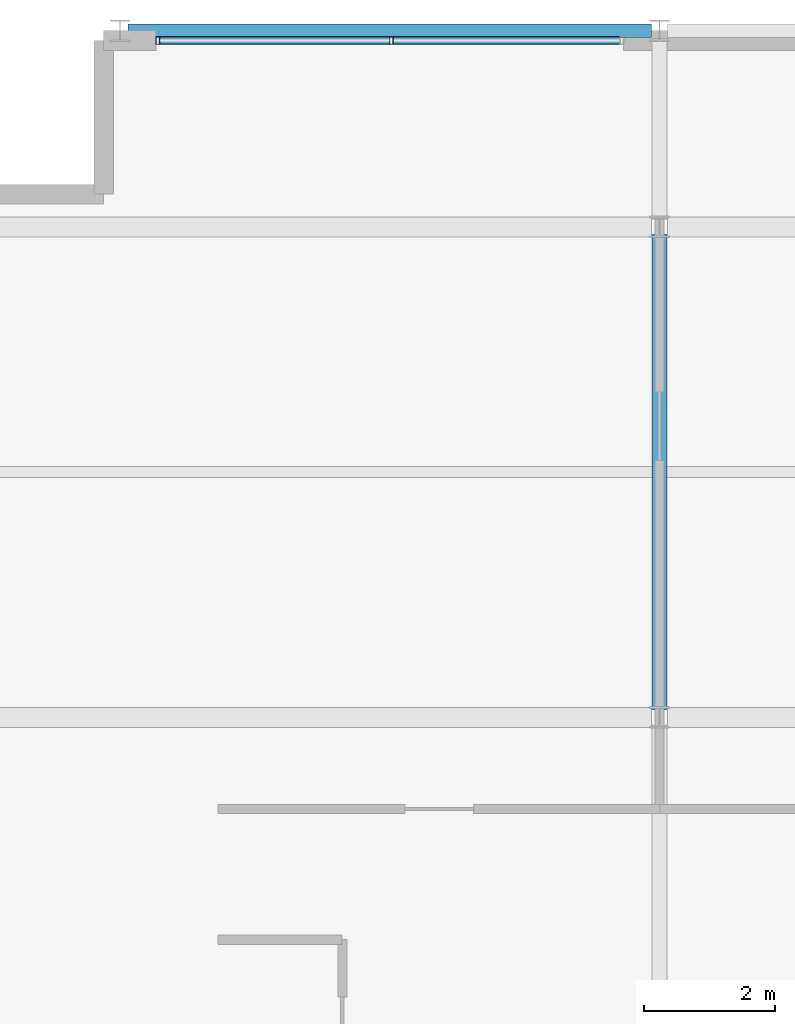
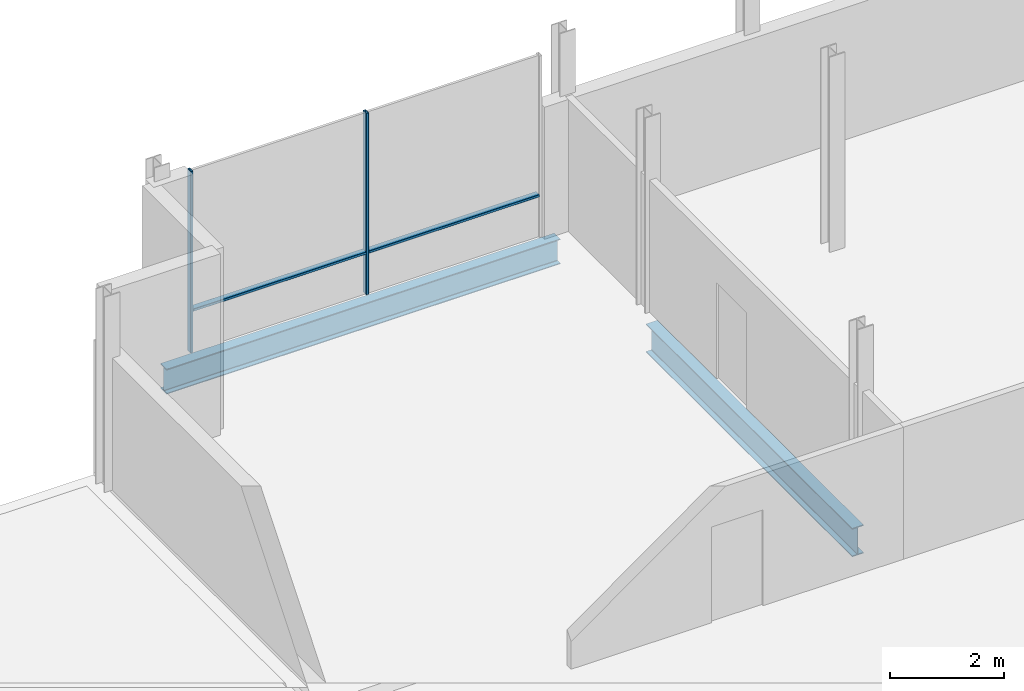
# One storey, part 2 of 11: 4 members, 2 beams, 1 element without a shape of its own.
"""IFC4 building model written with IfcOpenShell, lengths in metres."""

import ifcopenshell
import ifcopenshell.guid

model = None  # the IFC model being written
_history = None  # IfcOwnerHistory: only IFC2X3 demands one
_inside = {}  # id of a spatial element -> (the spatial element, [elements in it])
_under = {}  # id of a project, library or spatial element -> (it, [spatial elements below it])
_declared = {}  # id of a project -> (the project, [libraries it declares])
_typed = {}  # id of a type object -> (the type object, [elements of that type])
_made_of = {}  # id of a material, layer set ... -> (it, [elements and type objects made of it])


def new_model(schema):
    """Start an empty IFC model of exactly this schema.

    Asked for "IFC4X3", IfcOpenShell would pick the latest addendum, in which some entities
    have other attributes; the version numbers below select the first issue.
    IFC2X3 requires an IfcOwnerHistory on every rooted entity: one is made here for all.
    """
    global model, _history
    if schema == "IFC4X3":
        model = ifcopenshell.file(schema_version=(4, 3, 0, 0))
    else:
        model = ifcopenshell.file(schema=schema)
    _inside.clear()
    _under.clear()
    _declared.clear()
    _typed.clear()
    _made_of.clear()
    _history = None
    if model.schema == "IFC2X3":
        org = make("IfcOrganization", Name="unknown")
        user = make(
            "IfcPersonAndOrganization",
            ThePerson=make("IfcPerson", FamilyName="unknown"),
            TheOrganization=org,
        )
        app = make(
            "IfcApplication",
            ApplicationDeveloper=org,
            Version="unknown",
            ApplicationFullName="unknown",
            ApplicationIdentifier="unknown",
        )
        _history = make(
            "IfcOwnerHistory",
            OwningUser=user,
            OwningApplication=app,
            ChangeAction="ADDED",
            CreationDate=0,
        )
    return model


def make(cls, **values):
    """One entity of the class cls with the attributes given. An attribute that is None is left unset."""
    return model.create_entity(
        cls, **{name: value for name, value in values.items() if value is not None}
    )


def rooted(cls, **values):
    """An entity with a GlobalId (a new one), such as an element, a storey or a relation."""
    return make(cls, GlobalId=ifcopenshell.guid.new(), OwnerHistory=_history, **values)


def si_unit(unit_type, name, prefix=None):
    """IfcSIUnit, for example si_unit("LENGTHUNIT", "METRE", prefix="MILLI")."""
    return make("IfcSIUnit", UnitType=unit_type, Prefix=prefix, Name=name)


def assignment(units):
    """IfcUnitAssignment: the units of a project."""
    return None if units is None else make("IfcUnitAssignment", Units=units)


def point(xyz):
    """IfcCartesianPoint."""
    return None if xyz is None else make("IfcCartesianPoint", Coordinates=xyz)


def direction(xyz):
    """IfcDirection."""
    return None if xyz is None else make("IfcDirection", DirectionRatios=xyz)


def frame(location, z_axis=None, x_axis=None):
    """IfcAxis2Placement3D, a coordinate frame: its origin and axes. An axis left out is left unset."""
    return make(
        "IfcAxis2Placement3D",
        Location=point(location),
        Axis=direction(z_axis),
        RefDirection=direction(x_axis),
    )


def frame_2d(location, x_axis=None):
    """IfcAxis2Placement2D, a coordinate frame in the plane: its origin and x axis."""
    return make(
        "IfcAxis2Placement2D", Location=point(location), RefDirection=direction(x_axis)
    )


def origin():
    """The frame at (0, 0, 0) with its axes left unset."""
    return frame((0.0, 0.0, 0.0))


def origin_2d():
    """The frame at (0, 0) in the plane with its x axis left unset."""
    return frame_2d((0.0, 0.0))


def place(relative_to, where):
    """IfcLocalPlacement: puts the frame where relative to a parent placement (None: the world)."""
    return make(
        "IfcLocalPlacement", PlacementRelTo=relative_to, RelativePlacement=where
    )


def context(
    kind, dimensions, precision=None, world=None, true_north=None, identifier=None
):
    """IfcGeometricRepresentationContext, for example the 3D "Model" context."""
    return make(
        "IfcGeometricRepresentationContext",
        ContextIdentifier=identifier,
        ContextType=kind,
        CoordinateSpaceDimension=dimensions,
        Precision=precision,
        WorldCoordinateSystem=world,
        TrueNorth=true_north,
    )


def subcontext(parent, identifier, kind, view, scale=None):
    """IfcGeometricRepresentationSubContext, for example "Body" below "Model"."""
    return make(
        "IfcGeometricRepresentationSubContext",
        ContextIdentifier=identifier,
        ContextType=kind,
        ParentContext=parent,
        TargetScale=scale,
        TargetView=view,
    )


def project(units=None, contexts=None):
    """IfcProject with its units and contexts."""
    return rooted(
        "IfcProject",
        Name="project",
        RepresentationContexts=contexts,
        UnitsInContext=assignment(units),
    )


def spatial(cls, under=None, at=None, **own):
    """A site, building, storey or space (cls), placed at a placement, below another one or the project."""
    s = rooted(cls, ObjectPlacement=at, **own)
    if under is not None:
        _under.setdefault(under.id(), (under, []))[1].append(s)
    return s


def profile(cls, at=None, kind="AREA", **sizes):
    """A parametric profile (cls). Its sizes go by their IFC names, for example OverallWidth=200.0."""
    return make(cls, ProfileType=kind, Position=at, **sizes)


def hollow_rectangle(**sizes):
    """IfcRectangleHollowProfileDef."""
    return profile("IfcRectangleHollowProfileDef", **sizes)


def i_section(**sizes):
    """IfcIShapeProfileDef."""
    return profile("IfcIShapeProfileDef", **sizes)


def extrude(swept, where, along, depth):
    """IfcExtrudedAreaSolid: the profile swept, set in the frame where, extruded along a direction by depth."""
    return make(
        "IfcExtrudedAreaSolid",
        SweptArea=swept,
        Position=where,
        ExtrudedDirection=direction(along),
        Depth=depth,
    )


def shape(context_of_items, identifier, shape_type, items):
    """IfcShapeRepresentation: the items that make up one representation, for example the "Body"."""
    return make(
        "IfcShapeRepresentation",
        ContextOfItems=context_of_items,
        RepresentationIdentifier=identifier,
        RepresentationType=shape_type,
        Items=items,
    )


def material(Name=None, Category=None):
    """IfcMaterial."""
    return make("IfcMaterial", Name=Name, Category=Category)


def layer(
    of_material, thickness, ventilated=None, Name=None, Category=None, Priority=None
):
    """IfcMaterialLayer: one layer of a wall or slab, of a material (None: an air gap)."""
    return make(
        "IfcMaterialLayer",
        Material=of_material,
        LayerThickness=thickness,
        IsVentilated=ventilated,
        Name=Name,
        Category=Category,
        Priority=Priority,
    )


def layer_set(layers, Name=None):
    """IfcMaterialLayerSet."""
    return make("IfcMaterialLayerSet", MaterialLayers=layers, LayerSetName=Name)


def material_profile(
    of_material, cross_section, Name=None, Category=None, Priority=None
):
    """IfcMaterialProfile: a cross section and its material."""
    return make(
        "IfcMaterialProfile",
        Name=Name,
        Material=of_material,
        Profile=cross_section,
        Priority=Priority,
        Category=Category,
    )


def profile_set(profiles, Name=None, composite=None):
    """IfcMaterialProfileSet."""
    return make(
        "IfcMaterialProfileSet",
        Name=Name,
        MaterialProfiles=profiles,
        CompositeProfile=composite,
    )


def made_of(thing, what):
    """Note that an element or type object is made of a material, layer set ...; save() writes the relation."""
    if what is not None:
        _made_of.setdefault(what.id(), (what, []))[1].append(thing)
    return thing


def type_object(cls, material=None, **own):
    """A type object (cls), such as IfcWallType, which elements share."""
    return made_of(rooted(cls, **own), material)


def element(
    cls,
    number,
    at=None,
    inside=None,
    cuts=None,
    type_object=None,
    material=None,
    context=None,
    identifier="Body",
    shape_type=None,
    held_by="IfcProductDefinitionShape",
    body=None,
    shapes=None,
    **own,
):
    """One element of the class cls, such as IfcWall. Its Tag is "e" and its number.

    at: its placement. inside: the storey or other place that contains it. cuts: it is an
    opening in that element (IfcRelVoidsElement). A single representation is given by context,
    identifier, shape_type and body (its items); several are given by shapes. held_by: the class
    of the entity that holds the representations. save() writes the other relations.
    """
    e = rooted(cls, Tag="e%d" % number, ObjectPlacement=at, **own)
    if body is not None:
        shapes = [shape(context, identifier, shape_type, body)]
    if shapes is not None:
        e.Representation = make(held_by, Representations=shapes)
    if inside is not None:
        _inside.setdefault(inside.id(), (inside, []))[1].append(e)
    if cuts is not None:
        rooted(
            "IfcRelVoidsElement", RelatingBuildingElement=cuts, RelatedOpeningElement=e
        )
    if type_object is not None:
        _typed.setdefault(type_object.id(), (type_object, []))[1].append(e)
    return made_of(e, material)


def aggregate(whole, parts):
    """IfcRelAggregates: a whole, such as a stair, and the parts it consists of."""
    return rooted("IfcRelAggregates", RelatingObject=whole, RelatedObjects=parts)


def save(model, path):
    """Write the relations noted so far, then the file.

    IfcRelAggregates (storeys below a building ...), IfcRelContainedInSpatialStructure (elements
    in a storey), IfcRelDefinesByType, IfcRelAssociatesMaterial and IfcRelDeclares: one each for
    every whole, place, type object, material and project.
    """
    for whole, parts in _under.values():
        aggregate(whole, parts)
    for where, things in _inside.values():
        rooted(
            "IfcRelContainedInSpatialStructure",
            RelatedElements=things,
            RelatingStructure=where,
        )
    for kind, things in _typed.values():
        rooted("IfcRelDefinesByType", RelatedObjects=things, RelatingType=kind)
    for what, things in _made_of.values():
        rooted("IfcRelAssociatesMaterial", RelatedObjects=things, RelatingMaterial=what)
    for by, libraries in _declared.values():
        rooted("IfcRelDeclares", RelatingContext=by, RelatedDefinitions=libraries)
    model.write(path)


model = new_model("IFC4")

# Units and contexts
model_context = context("Model", 3, precision=1e-05, world=origin(), true_north=direction((0.0, 1.0)))
body_context = subcontext(model_context, "Body", "Model", "MODEL_VIEW")
ifc_project = project(units=[si_unit("LENGTHUNIT", "METRE"), si_unit("AREAUNIT", "SQUARE_METRE"), si_unit("VOLUMEUNIT", "CUBIC_METRE"), si_unit("PLANEANGLEUNIT", "RADIAN"), si_unit("MASSUNIT", "GRAM", prefix="KILO")], contexts=[model_context])

# Site, building, storey
site_placement = place(None, origin())
site = spatial("IfcSite", under=ifc_project, at=site_placement, CompositionType="ELEMENT")
building_placement = place(site_placement, origin())
building = spatial("IfcBuilding", under=site, at=building_placement, Name="Brevholm Reach", CompositionType="ELEMENT")
storey_placement = place(building_placement, frame((0.0, 0.0, 247.25)))
storey = spatial("IfcBuildingStorey", under=building, at=storey_placement, Name="L75", CompositionType="ELEMENT", Elevation=247.25)

# Beams
ifc_material_1 = material(Name="Structural Steel S355J2", Category="steel")
ifc_material_profile_1 = material_profile(ifc_material_1, i_section(OverallWidth=0.210693359375, OverallDepth=0.53955078125, WebThickness=0.01171875, FlangeThickness=0.018798828125, FilletRadius=0.0126953125, at=origin_2d()), Name="UKB 533x210x109")
ifc_profile_set_1 = profile_set([ifc_material_profile_1], Name="Structural Steel S355J2")
beam_type_1 = type_object("IfcBeamType", Name="BM-SP539", PredefinedType="SPANDREL", material=ifc_profile_set_1)
beam_1_placement = place(storey_placement, frame((30.1201171875, 26.5, -0.52978515625), z_axis=(1.0, 0.0, 0.0), x_axis=(0.0, 1.0, 0.0)))
element("IfcBeam", 1, at=beam_1_placement, inside=storey, type_object=beam_type_1, Name="L75 SP-01B Framing Beam", PredefinedType="SPANDREL", context=body_context, shape_type="SweptSolid", body=[
    extrude(i_section(OverallWidth=0.210693359375, OverallDepth=0.53955078125, WebThickness=0.01171875, FlangeThickness=0.018798828125, FilletRadius=0.0126953125, at=origin_2d()), origin(), (0.0, 0.0, 1.0), 8.009765625),
])
ifc_material_2 = material(Name="Structural Steel S355J2", Category="steel")
ifc_material_profile_2 = material_profile(ifc_material_2, i_section(OverallWidth=0.22900390625, OverallDepth=0.6123046875, WebThickness=0.011962890625, FlangeThickness=0.01953125, FilletRadius=0.0126953125, at=origin_2d()), Name="UKB 610x229x125")
ifc_profile_set_2 = profile_set([ifc_material_profile_2], Name="Structural Steel S355J2")
beam_type_2 = type_object("IfcBeamType", Name="BM-SP610", PredefinedType="SPANDREL", material=ifc_profile_set_2)
beam_2_placement = place(storey_placement, frame((38.25, 16.1201171875, -0.566162109375), z_axis=(0.0, 1.0, 0.0), x_axis=(-1.0, 0.0, 0.0)))
element("IfcBeam", 2, at=beam_2_placement, inside=storey, type_object=beam_type_2, Name="L75 SP-01 Framing Beam", PredefinedType="SPANDREL", context=body_context, shape_type="SweptSolid", body=[
    extrude(i_section(OverallWidth=0.22900390625, OverallDepth=0.6123046875, WebThickness=0.011962890625, FlangeThickness=0.01953125, FilletRadius=0.0126953125, at=origin_2d()), origin(), (0.0, 0.0, 1.0), 7.259765625),
])

# Curtain wall, members
ifc_material_3 = material(Name="Dark Anodised Aluminium 6063-T6 and Solar-Control Glass", Category="aluminium")
ifc_layer = layer(ifc_material_3, 0.1201171875)
ifc_layer_set = layer_set([ifc_layer], Name="Dark Anodised Aluminium 6063-T6 and Solar-Control Glass")
curtain_wall_type = type_object("IfcCurtainWallType", Name="CW-06", PredefinedType="NOTDEFINED", material=ifc_layer_set)
curtain_wall_placement = place(storey_placement, origin())
curtain_wall = element("IfcCurtainWall", 3, at=curtain_wall_placement, inside=storey, type_object=curtain_wall_type, Name="L75 Curtain Wall CW-06", PredefinedType="NOTDEFINED")
ifc_material_4 = material(Name="Dark Anodised Aluminium 6063-T6", Category="aluminium")
ifc_material_profile_3 = material_profile(ifc_material_4, hollow_rectangle(XDim=0.054931640625, YDim=0.1201171875, WallThickness=0.00390625, InnerFilletRadius=0.00390625, OuterFilletRadius=0.008056640625, at=origin_2d()), Name="RHS 120x55x4")
ifc_profile_set_3 = profile_set([ifc_material_profile_3], Name="Dark Anodised Aluminium 6063-T6")
member_type_1 = type_object("IfcMemberType", Name="CWM-120", PredefinedType="MULLION", material=ifc_profile_set_3)
member_1_placement = place(storey_placement, frame((30.577392578125, 26.35009765625, 0.0), z_axis=(0.0, 0.0, 1.0), x_axis=(1.0, 0.0, 0.0)))
member_1 = element("IfcMember", 4, at=member_1_placement, type_object=member_type_1, Name="CM-120 Mullion 1", PredefinedType="MULLION", context=body_context, shape_type="SweptSolid", body=[
    extrude(hollow_rectangle(XDim=0.054931640625, YDim=0.1201171875, WallThickness=0.00390625, InnerFilletRadius=0.00390625, OuterFilletRadius=0.008056640625, at=origin_2d()), origin(), (0.0, 0.0, 1.0), 3.89990234375),
])
member_2_placement = place(storey_placement, frame((34.14990234375, 26.35009765625, 0.0), z_axis=(0.0, 0.0, 1.0), x_axis=(1.0, 0.0, 0.0)))
member_2 = element("IfcMember", 5, at=member_2_placement, type_object=member_type_1, Name="CM-120 Mullion 2", PredefinedType="MULLION", context=body_context, shape_type="SweptSolid", body=[
    extrude(hollow_rectangle(XDim=0.054931640625, YDim=0.1201171875, WallThickness=0.00390625, InnerFilletRadius=0.00390625, OuterFilletRadius=0.008056640625, at=origin_2d()), origin(), (0.0, 0.0, 1.0), 3.89990234375),
])
ifc_material_5 = material(Name="Dark Anodised Aluminium 6063-T6", Category="aluminium")
ifc_material_profile_4 = material_profile(ifc_material_5, hollow_rectangle(XDim=0.054931640625, YDim=0.1201171875, WallThickness=0.00390625, InnerFilletRadius=0.00390625, OuterFilletRadius=0.008056640625, at=origin_2d()), Name="RHS 120x55x4")
ifc_profile_set_4 = profile_set([ifc_material_profile_4], Name="Dark Anodised Aluminium 6063-T6")
member_type_2 = type_object("IfcMemberType", Name="CWT-120", PredefinedType="NOTDEFINED", material=ifc_profile_set_4)
member_3_placement = place(storey_placement, frame((30.60498046875, 26.35009765625, 0.89990234375), z_axis=(1.0, 0.0, 0.0), x_axis=(0.0, 0.0, 1.0)))
member_3 = element("IfcMember", 6, at=member_3_placement, type_object=member_type_2, Name="CT-120 Transom 1.1", ObjectType="TRANSOM", PredefinedType="USERDEFINED", context=body_context, shape_type="SweptSolid", body=[
    extrude(hollow_rectangle(XDim=0.054931640625, YDim=0.1201171875, WallThickness=0.00390625, InnerFilletRadius=0.00390625, OuterFilletRadius=0.008056640625, at=origin_2d()), origin(), (0.0, 0.0, 1.0), 3.517578125),
])
member_4_placement = place(storey_placement, frame((34.177490234375, 26.35009765625, 0.89990234375), z_axis=(1.0, 0.0, 0.0), x_axis=(0.0, 0.0, 1.0)))
member_4 = element("IfcMember", 7, at=member_4_placement, type_object=member_type_2, Name="CT-120 Transom 2.1", ObjectType="TRANSOM", PredefinedType="USERDEFINED", context=body_context, shape_type="SweptSolid", body=[
    extrude(hollow_rectangle(XDim=0.054931640625, YDim=0.1201171875, WallThickness=0.00390625, InnerFilletRadius=0.00390625, OuterFilletRadius=0.008056640625, at=origin_2d()), origin(), (0.0, 0.0, 1.0), 3.467529296875),
])
aggregate(curtain_wall, [member_1, member_2, member_3, member_4])

save(model, "model.ifc")
